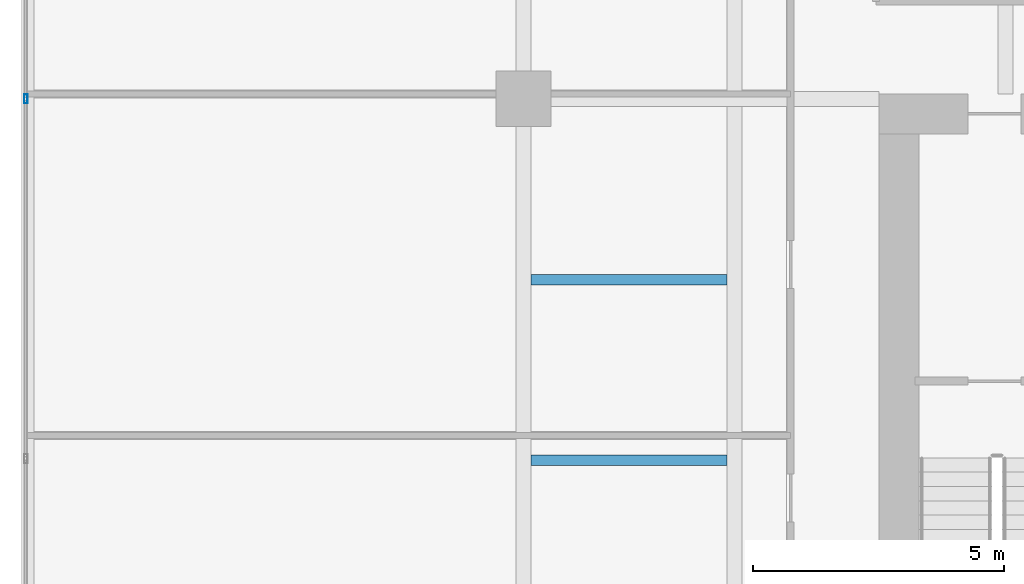
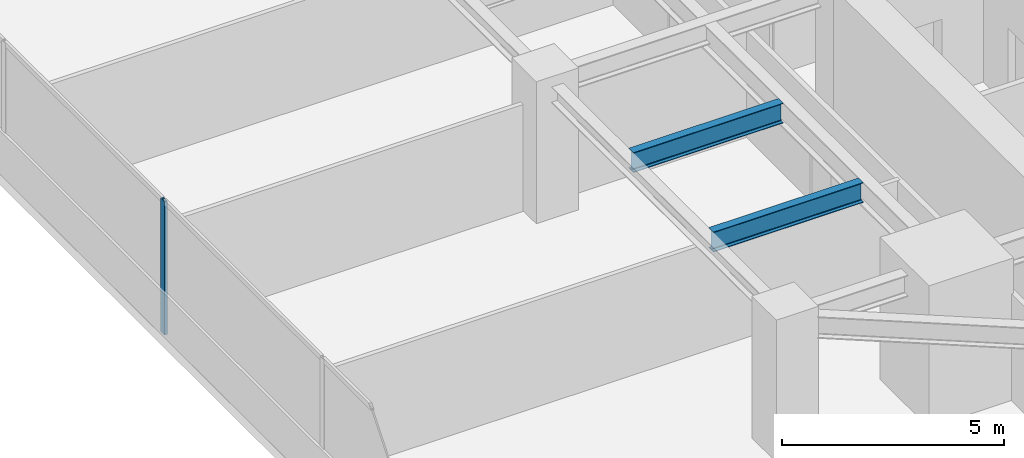
# One storey, part 8 of 30: 2 beams, 1 member, 1 element without a shape of its own.
"""IFC4 building model written with IfcOpenShell, lengths in metres."""

from ifc_helpers import new_model, si_unit, direction, frame, origin, origin_2d, place, context, subcontext, project, spatial, hollow_rectangle, i_section, extrude, source, transform, mapped, material, material_profile, profile_set, type_object, type_shapes, element, aggregate, save


model = new_model("IFC4")

# Units and contexts
model_context = context("Model", 3, precision=1e-05, world=origin(), true_north=direction((0.0, 1.0)))
body_context = subcontext(model_context, "Body", "Model", "MODEL_VIEW")
ifc_project = project(units=[si_unit("LENGTHUNIT", "METRE"), si_unit("AREAUNIT", "SQUARE_METRE"), si_unit("VOLUMEUNIT", "CUBIC_METRE"), si_unit("PLANEANGLEUNIT", "RADIAN"), si_unit("MASSUNIT", "GRAM", prefix="KILO")], contexts=[model_context])

# Site, building, storey
site_placement = place(None, origin())
site = spatial("IfcSite", under=ifc_project, at=site_placement, CompositionType="ELEMENT")
building_placement = place(site_placement, origin())
building = spatial("IfcBuilding", under=site, at=building_placement, Name="Krantzveldt Concourse Tower", CompositionType="ELEMENT")
storey_placement = place(building_placement, frame((0.0, 0.0, 25.0)))
storey = spatial("IfcBuildingStorey", under=building, at=storey_placement, Name="L05", CompositionType="ELEMENT", Elevation=25.0)

# Beams
ifc_material_1 = material(Name="Steel S355JR", Category="steel")
ifc_material_profile_1 = material_profile(ifc_material_1, i_section(OverallWidth=0.2099609375, OverallDepth=0.550048828125, WebThickness=0.010986328125, FlangeThickness=0.01708984375, FilletRadius=0.02392578125, at=origin_2d()), Name="Steel S355JR", Category="steel")
ifc_profile_set_1 = profile_set([ifc_material_profile_1], Name="Steel S355JR - IPE 550")
beam_type = type_object("IfcBeamType", Name="BM-J-IPE550", PredefinedType="JOIST", material=ifc_profile_set_1)
shared_shape_1 = source(origin(), body_context, "Body", "SweptSolid", [
    extrude(i_section(OverallWidth=0.2099609375, OverallDepth=0.550048828125, WebThickness=0.010986328125, FlangeThickness=0.01708984375, FilletRadius=0.02392578125, at=origin_2d()), origin(), (0.0, 0.0, 1.0), 3.900146484375),
])
type_shapes(beam_type, [shared_shape_1])
for number, where, z_axis, x_axis, name in (
    (1, (21.14990234375, 19.5, 3.39501953125), (1.0, 0.0, 0.0), (0.0, 1.0, 0.0), "L05 Secondary Floor Joist JW-1"),
    (2, (21.14990234375, 23.10009765625, 3.39501953125), (1.0, 0.0, 0.0), (0.0, 1.0, 0.0), "L05 Secondary Floor Joist JW-2"),
):
    element("IfcBeam", number, at=place(storey_placement, frame(where, z_axis=z_axis, x_axis=x_axis)), inside=storey, type_object=beam_type, Name=name, PredefinedType="JOIST", context=body_context, shape_type="MappedRepresentation", body=[
        mapped(shared_shape_1, transform((0.0, 0.0, 0.0), x_axis=(1.0, 0.0, 0.0), y_axis=(0.0, 1.0, 0.0), z_axis=(0.0, 0.0, 1.0), scale=1.0)),
    ])

# Curtain wall, member
ifc_material_2 = material(Name="Anodised aluminium 6063-T6", Category="aluminium")
curtain_wall_type = type_object("IfcCurtainWallType", Name="CW2", PredefinedType="USERDEFINED", material=ifc_material_2)
curtain_wall_placement = place(storey_placement, origin())
curtain_wall = element("IfcCurtainWall", 3, at=curtain_wall_placement, inside=storey, type_object=curtain_wall_type, Name="CW-L05-F01", ObjectType="UNITISED CURTAIN WALL", PredefinedType="USERDEFINED")
ifc_material_profile_2 = material_profile(ifc_material_2, hollow_rectangle(XDim=0.070068359375, YDim=0.179931640625, WallThickness=0.0048828125, at=origin_2d()), Name="Anodised aluminium 6063-T6", Category="aluminium")
ifc_profile_set_2 = profile_set([ifc_material_profile_2], Name="Anodised aluminium 6063-T6 - ALU-MULL 180x70x5")
member_type = type_object("IfcMemberType", Name="CW-MUL-180", PredefinedType="MULLION", material=ifc_profile_set_2)
shared_shape_2 = source(origin(), body_context, "Body", "SweptSolid", [
    extrude(hollow_rectangle(XDim=0.070068359375, YDim=0.179931640625, WallThickness=0.0048828125, at=origin_2d()), origin(), (0.0, 0.0, 1.0), 3.669921875),
])
type_shapes(member_type, [shared_shape_2])
member_placement = place(storey_placement, frame((11.090087890625, 26.699951171875, 0.0), z_axis=(0.0, 0.0, 1.0), x_axis=(1.0, 0.0, 0.0)))
member = element("IfcMember", 4, at=member_placement, type_object=member_type, Name="CW-Z12 mullion 4", PredefinedType="MULLION", context=body_context, shape_type="MappedRepresentation", body=[
    mapped(shared_shape_2, transform((0.0, 0.0, 0.0), x_axis=(1.0, 0.0, 0.0), y_axis=(0.0, 1.0, 0.0), z_axis=(0.0, 0.0, 1.0), scale=1.0)),
])
aggregate(curtain_wall, [member])

save(model, "model.ifc")
